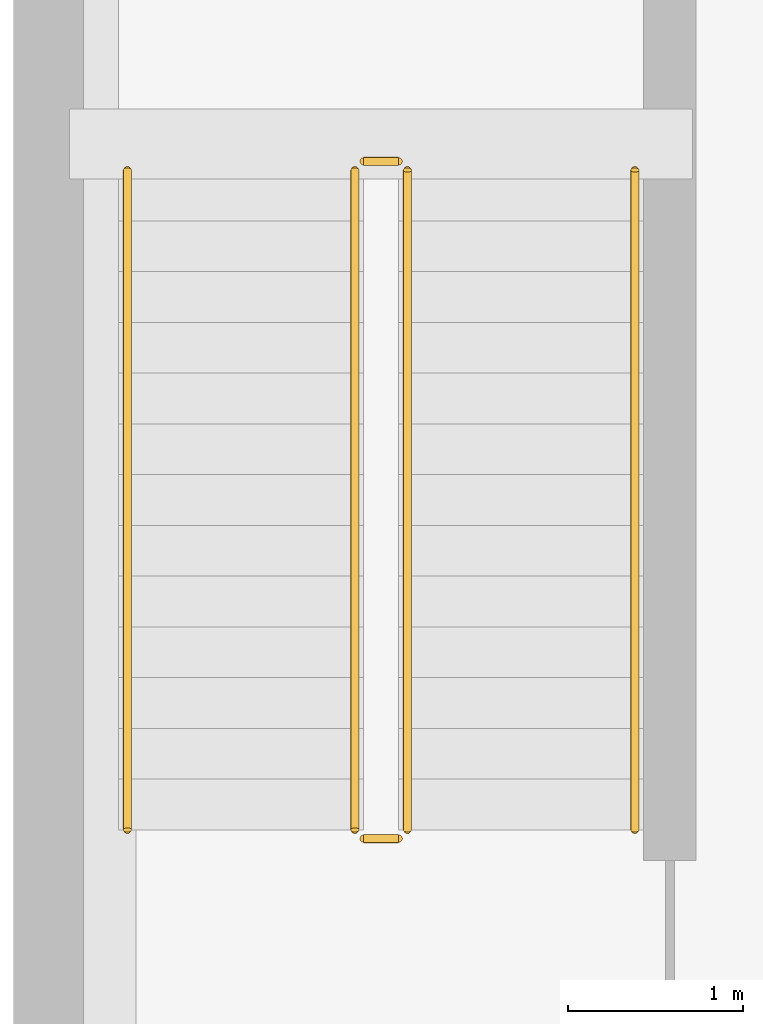
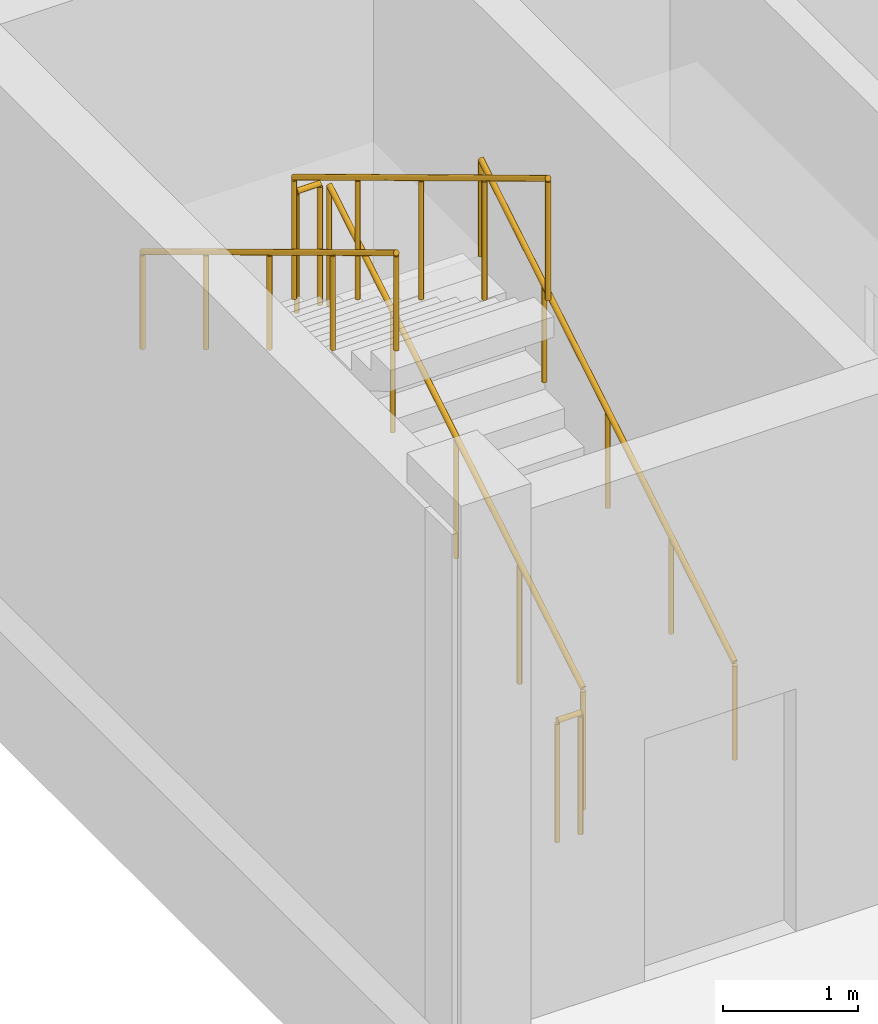
# One storey, part 63 of 85: 6 railings.
"""IFC4 building model written with IfcOpenShell, lengths in metres."""

import ifcopenshell
import ifcopenshell.guid

model = None  # the IFC model being written
_history = None  # IfcOwnerHistory: only IFC2X3 demands one
_inside = {}  # id of a spatial element -> (the spatial element, [elements in it])
_under = {}  # id of a project, library or spatial element -> (it, [spatial elements below it])
_declared = {}  # id of a project -> (the project, [libraries it declares])
_typed = {}  # id of a type object -> (the type object, [elements of that type])
_made_of = {}  # id of a material, layer set ... -> (it, [elements and type objects made of it])


def new_model(schema):
    """Start an empty IFC model of exactly this schema.

    Asked for "IFC4X3", IfcOpenShell would pick the latest addendum, in which some entities
    have other attributes; the version numbers below select the first issue.
    IFC2X3 requires an IfcOwnerHistory on every rooted entity: one is made here for all.
    """
    global model, _history
    if schema == "IFC4X3":
        model = ifcopenshell.file(schema_version=(4, 3, 0, 0))
    else:
        model = ifcopenshell.file(schema=schema)
    _inside.clear()
    _under.clear()
    _declared.clear()
    _typed.clear()
    _made_of.clear()
    _history = None
    if model.schema == "IFC2X3":
        org = make("IfcOrganization", Name="unknown")
        user = make(
            "IfcPersonAndOrganization",
            ThePerson=make("IfcPerson", FamilyName="unknown"),
            TheOrganization=org,
        )
        app = make(
            "IfcApplication",
            ApplicationDeveloper=org,
            Version="unknown",
            ApplicationFullName="unknown",
            ApplicationIdentifier="unknown",
        )
        _history = make(
            "IfcOwnerHistory",
            OwningUser=user,
            OwningApplication=app,
            ChangeAction="ADDED",
            CreationDate=0,
        )
    return model


def make(cls, **values):
    """One entity of the class cls with the attributes given. An attribute that is None is left unset."""
    return model.create_entity(
        cls, **{name: value for name, value in values.items() if value is not None}
    )


def rooted(cls, **values):
    """An entity with a GlobalId (a new one), such as an element, a storey or a relation."""
    return make(cls, GlobalId=ifcopenshell.guid.new(), OwnerHistory=_history, **values)


def si_unit(unit_type, name, prefix=None):
    """IfcSIUnit, for example si_unit("LENGTHUNIT", "METRE", prefix="MILLI")."""
    return make("IfcSIUnit", UnitType=unit_type, Prefix=prefix, Name=name)


def derived_unit(unit_type, elements):
    """IfcDerivedUnit: a product of units, each with its exponent."""
    return make(
        "IfcDerivedUnit",
        Elements=[
            make("IfcDerivedUnitElement", Unit=unit, Exponent=power)
            for unit, power in elements
        ],
        UnitType=unit_type,
    )


def assignment(units):
    """IfcUnitAssignment: the units of a project."""
    return None if units is None else make("IfcUnitAssignment", Units=units)


def point(xyz):
    """IfcCartesianPoint."""
    return None if xyz is None else make("IfcCartesianPoint", Coordinates=xyz)


def direction(xyz):
    """IfcDirection."""
    return None if xyz is None else make("IfcDirection", DirectionRatios=xyz)


def frame(location, z_axis=None, x_axis=None):
    """IfcAxis2Placement3D, a coordinate frame: its origin and axes. An axis left out is left unset."""
    return make(
        "IfcAxis2Placement3D",
        Location=point(location),
        Axis=direction(z_axis),
        RefDirection=direction(x_axis),
    )


def frame_2d(location, x_axis=None):
    """IfcAxis2Placement2D, a coordinate frame in the plane: its origin and x axis."""
    return make(
        "IfcAxis2Placement2D", Location=point(location), RefDirection=direction(x_axis)
    )


def origin():
    """The frame at (0, 0, 0) with its axes left unset."""
    return frame((0.0, 0.0, 0.0))


def origin_2d():
    """The frame at (0, 0) in the plane with its x axis left unset."""
    return frame_2d((0.0, 0.0))


def place(relative_to, where):
    """IfcLocalPlacement: puts the frame where relative to a parent placement (None: the world)."""
    return make(
        "IfcLocalPlacement", PlacementRelTo=relative_to, RelativePlacement=where
    )


def context(
    kind, dimensions, precision=None, world=None, true_north=None, identifier=None
):
    """IfcGeometricRepresentationContext, for example the 3D "Model" context."""
    return make(
        "IfcGeometricRepresentationContext",
        ContextIdentifier=identifier,
        ContextType=kind,
        CoordinateSpaceDimension=dimensions,
        Precision=precision,
        WorldCoordinateSystem=world,
        TrueNorth=true_north,
    )


def subcontext(parent, identifier, kind, view, scale=None):
    """IfcGeometricRepresentationSubContext, for example "Body" below "Model"."""
    return make(
        "IfcGeometricRepresentationSubContext",
        ContextIdentifier=identifier,
        ContextType=kind,
        ParentContext=parent,
        TargetScale=scale,
        TargetView=view,
    )


def project(units=None, contexts=None):
    """IfcProject with its units and contexts."""
    return rooted(
        "IfcProject",
        Name="project",
        RepresentationContexts=contexts,
        UnitsInContext=assignment(units),
    )


def spatial(cls, under=None, at=None, **own):
    """A site, building, storey or space (cls), placed at a placement, below another one or the project."""
    s = rooted(cls, ObjectPlacement=at, **own)
    if under is not None:
        _under.setdefault(under.id(), (under, []))[1].append(s)
    return s


def profile(cls, at=None, kind="AREA", **sizes):
    """A parametric profile (cls). Its sizes go by their IFC names, for example OverallWidth=200.0."""
    return make(cls, ProfileType=kind, Position=at, **sizes)


def circle(**sizes):
    """IfcCircleProfileDef."""
    return profile("IfcCircleProfileDef", **sizes)


def extrude(swept, where, along, depth):
    """IfcExtrudedAreaSolid: the profile swept, set in the frame where, extruded along a direction by depth."""
    return make(
        "IfcExtrudedAreaSolid",
        SweptArea=swept,
        Position=where,
        ExtrudedDirection=direction(along),
        Depth=depth,
    )


def shape(context_of_items, identifier, shape_type, items):
    """IfcShapeRepresentation: the items that make up one representation, for example the "Body"."""
    return make(
        "IfcShapeRepresentation",
        ContextOfItems=context_of_items,
        RepresentationIdentifier=identifier,
        RepresentationType=shape_type,
        Items=items,
    )


def material(Name=None, Category=None):
    """IfcMaterial."""
    return make("IfcMaterial", Name=Name, Category=Category)


def made_of(thing, what):
    """Note that an element or type object is made of a material, layer set ...; save() writes the relation."""
    if what is not None:
        _made_of.setdefault(what.id(), (what, []))[1].append(thing)
    return thing


def type_object(cls, material=None, **own):
    """A type object (cls), such as IfcWallType, which elements share."""
    return made_of(rooted(cls, **own), material)


def element(
    cls,
    number,
    at=None,
    inside=None,
    cuts=None,
    type_object=None,
    material=None,
    context=None,
    identifier="Body",
    shape_type=None,
    held_by="IfcProductDefinitionShape",
    body=None,
    shapes=None,
    **own,
):
    """One element of the class cls, such as IfcWall. Its Tag is "e" and its number.

    at: its placement. inside: the storey or other place that contains it. cuts: it is an
    opening in that element (IfcRelVoidsElement). A single representation is given by context,
    identifier, shape_type and body (its items); several are given by shapes. held_by: the class
    of the entity that holds the representations. save() writes the other relations.
    """
    e = rooted(cls, Tag="e%d" % number, ObjectPlacement=at, **own)
    if body is not None:
        shapes = [shape(context, identifier, shape_type, body)]
    if shapes is not None:
        e.Representation = make(held_by, Representations=shapes)
    if inside is not None:
        _inside.setdefault(inside.id(), (inside, []))[1].append(e)
    if cuts is not None:
        rooted(
            "IfcRelVoidsElement", RelatingBuildingElement=cuts, RelatedOpeningElement=e
        )
    if type_object is not None:
        _typed.setdefault(type_object.id(), (type_object, []))[1].append(e)
    return made_of(e, material)


def aggregate(whole, parts):
    """IfcRelAggregates: a whole, such as a stair, and the parts it consists of."""
    return rooted("IfcRelAggregates", RelatingObject=whole, RelatedObjects=parts)


def save(model, path):
    """Write the relations noted so far, then the file.

    IfcRelAggregates (storeys below a building ...), IfcRelContainedInSpatialStructure (elements
    in a storey), IfcRelDefinesByType, IfcRelAssociatesMaterial and IfcRelDeclares: one each for
    every whole, place, type object, material and project.
    """
    for whole, parts in _under.values():
        aggregate(whole, parts)
    for where, things in _inside.values():
        rooted(
            "IfcRelContainedInSpatialStructure",
            RelatedElements=things,
            RelatingStructure=where,
        )
    for kind, things in _typed.values():
        rooted("IfcRelDefinesByType", RelatedObjects=things, RelatingType=kind)
    for what, things in _made_of.values():
        rooted("IfcRelAssociatesMaterial", RelatedObjects=things, RelatingMaterial=what)
    for by, libraries in _declared.values():
        rooted("IfcRelDeclares", RelatingContext=by, RelatedDefinitions=libraries)
    model.write(path)


model = new_model("IFC4")

# Units and contexts
model_context = context("Model", 3, precision=1e-05, world=origin(), true_north=direction((0.0, 1.0)))
body_context = subcontext(model_context, "Body", "Model", "MODEL_VIEW")
ifc_project = project(units=[si_unit("LENGTHUNIT", "METRE"), si_unit("AREAUNIT", "SQUARE_METRE"), si_unit("VOLUMEUNIT", "CUBIC_METRE"), si_unit("PLANEANGLEUNIT", "RADIAN"), si_unit("MASSUNIT", "GRAM", prefix="KILO"), derived_unit("THERMALTRANSMITTANCEUNIT", [(si_unit("MASSUNIT", "GRAM", prefix="KILO"), 1), (si_unit("TIMEUNIT", "SECOND"), -3), (si_unit("THERMODYNAMICTEMPERATUREUNIT", "KELVIN"), -1)])], contexts=[model_context])

# Site, building, storey
site_placement = place(None, origin())
site = spatial("IfcSite", under=ifc_project, at=site_placement, CompositionType="ELEMENT")
building_placement = place(site_placement, origin())
building = spatial("IfcBuilding", under=site, at=building_placement, Name="Ochrekiln Boulevard Commons", CompositionType="ELEMENT")
storey_placement = place(building_placement, origin())
storey = spatial("IfcBuildingStorey", under=building, at=storey_placement, Name="L00", CompositionType="ELEMENT", Elevation=0.0)

# Railings
ifc_material = material(Name="Brushed stainless steel 316 tubular railing", Category="steel")
railing_type_1 = type_object("IfcRailingType", Name="RLG-HDR-900", PredefinedType="HANDRAIL", material=ifc_material)
railing_1_placement = place(storey_placement, frame((61.14990234375, 37.949951171875, 0.175048828125)))
element("IfcRailing", 1, at=railing_1_placement, inside=storey, type_object=railing_type_1, Name="L00 ST-H1 stair handrail 1", PredefinedType="HANDRAIL", context=body_context, shape_type="SweptSolid", body=[
    extrude(circle(Radius=0.02392578125, at=origin_2d()), frame((0.0, 0.0, 0.8759765625), z_axis=(0.0, 0.856198655849, 0.51664674752), x_axis=(-1.0, 0.0, 0.0)), (0.0, 0.0, 1.0), 4.4033203125),
    extrude(circle(Radius=0.02099609375, at=origin_2d()), origin(), (0.0, 0.0, 1.0), 0.851806640625),
    extrude(circle(Radius=0.02099609375, at=origin_2d()), frame((0.0, 0.9423828125, 0.56884765625)), (0.0, 0.0, 1.0), 0.851806640625),
    extrude(circle(Radius=0.02099609375, at=origin_2d()), frame((0.0, 1.885009765625, 1.137451171875)), (0.0, 0.0, 1.0), 0.851806640625),
    extrude(circle(Radius=0.02099609375, at=origin_2d()), frame((0.0, 2.82763671875, 1.7060546875)), (0.0, 0.0, 1.0), 0.851806640625),
    extrude(circle(Radius=0.02099609375, at=origin_2d()), frame((0.0, 3.77001953125, 2.27490234375)), (0.0, 0.0, 1.0), 0.851806640625),
])
railing_2_placement = place(storey_placement, frame((58.25, 41.719970703125, 2.625)))
element("IfcRailing", 2, at=railing_2_placement, inside=storey, type_object=railing_type_1, Name="L00 ST-H1 stair handrail 2", PredefinedType="HANDRAIL", context=body_context, shape_type="SweptSolid", body=[
    extrude(circle(Radius=0.02392578125, at=origin_2d()), frame((0.0, 0.0, 0.8759765625), z_axis=(0.0, -0.856198655849, 0.51664674752), x_axis=(1.0, 0.0, 0.0)), (0.0, 0.0, 1.0), 4.4033203125),
    extrude(circle(Radius=0.02099609375, at=origin_2d()), origin(), (0.0, 0.0, 1.0), 0.851806640625),
    extrude(circle(Radius=0.02099609375, at=origin_2d()), frame((0.0, -0.9423828125, 0.56884765625)), (0.0, 0.0, 1.0), 0.851806640625),
    extrude(circle(Radius=0.02099609375, at=origin_2d()), frame((0.0, -1.885009765625, 1.137451171875)), (0.0, 0.0, 1.0), 0.851806640625),
    extrude(circle(Radius=0.02099609375, at=origin_2d()), frame((0.0, -2.82763671875, 1.7060546875)), (0.0, 0.0, 1.0), 0.851806640625),
    extrude(circle(Radius=0.02099609375, at=origin_2d()), frame((0.0, -3.77001953125, 2.27490234375)), (0.0, 0.0, 1.0), 0.851806640625),
])
railing_type_2 = type_object("IfcRailingType", Name="RLG-STR-1120", PredefinedType="BALUSTRADE", material=ifc_material)
railing_3_placement = place(storey_placement, frame((59.85009765625, 37.949951171875, 0.175048828125)))
element("IfcRailing", 3, at=railing_3_placement, inside=storey, type_object=railing_type_2, Name="L00 ST-H1 stair guard 1", PredefinedType="BALUSTRADE", context=body_context, shape_type="SweptSolid", body=[
    extrude(circle(Radius=0.02392578125, at=origin_2d()), frame((0.0, 0.0, 1.09619140625), z_axis=(0.0, 0.856198655849, 0.51664674752), x_axis=(-1.0, 0.0, 0.0)), (0.0, 0.0, 1.0), 4.4033203125),
    extrude(circle(Radius=0.02099609375, at=origin_2d()), origin(), (0.0, 0.0, 1.0), 1.072021484375),
    extrude(circle(Radius=0.02099609375, at=origin_2d()), frame((0.0, 0.9423828125, 0.56884765625)), (0.0, 0.0, 1.0), 1.072021484375),
    extrude(circle(Radius=0.02099609375, at=origin_2d()), frame((0.0, 1.885009765625, 1.137451171875)), (0.0, 0.0, 1.0), 1.072021484375),
    extrude(circle(Radius=0.02099609375, at=origin_2d()), frame((0.0, 2.82763671875, 1.7060546875)), (0.0, 0.0, 1.0), 1.072021484375),
    extrude(circle(Radius=0.02099609375, at=origin_2d()), frame((0.0, 3.77001953125, 2.27490234375)), (0.0, 0.0, 1.0), 1.072021484375),
])
railing_4_placement = place(storey_placement, frame((59.800048828125, 41.77001953125, 2.449951171875)))
element("IfcRailing", 4, at=railing_4_placement, inside=storey, type_object=railing_type_2, Name="L00 ST-H1 stair guard 2", PredefinedType="BALUSTRADE", context=body_context, shape_type="SweptSolid", body=[
    extrude(circle(Radius=0.02392578125, at=origin_2d()), frame((0.0, 0.0, 1.09619140625), z_axis=(-1.0, 0.0, 0.0), x_axis=(0.0, -1.0, 0.0)), (0.0, 0.0, 1.0), 0.199951171875),
    extrude(circle(Radius=0.02099609375, at=origin_2d()), origin(), (0.0, 0.0, 1.0), 1.072021484375),
    extrude(circle(Radius=0.02099609375, at=origin_2d()), frame((-0.199951171875, 0.0, 0.0)), (0.0, 0.0, 1.0), 1.072021484375),
])
railing_5_placement = place(storey_placement, frame((59.550048828125, 41.719970703125, 2.625)))
element("IfcRailing", 5, at=railing_5_placement, inside=storey, type_object=railing_type_2, Name="L00 ST-H1 stair guard 3", PredefinedType="BALUSTRADE", context=body_context, shape_type="SweptSolid", body=[
    extrude(circle(Radius=0.02392578125, at=origin_2d()), frame((0.0, 0.0, 1.09619140625), z_axis=(0.0, -0.856198655849, 0.51664674752), x_axis=(1.0, 0.0, 0.0)), (0.0, 0.0, 1.0), 4.4033203125),
    extrude(circle(Radius=0.02099609375, at=origin_2d()), origin(), (0.0, 0.0, 1.0), 1.072021484375),
    extrude(circle(Radius=0.02099609375, at=origin_2d()), frame((0.0, -0.9423828125, 0.56884765625)), (0.0, 0.0, 1.0), 1.072021484375),
    extrude(circle(Radius=0.02099609375, at=origin_2d()), frame((0.0, -1.885009765625, 1.137451171875)), (0.0, 0.0, 1.0), 1.072021484375),
    extrude(circle(Radius=0.02099609375, at=origin_2d()), frame((0.0, -2.82763671875, 1.7060546875)), (0.0, 0.0, 1.0), 1.072021484375),
    extrude(circle(Radius=0.02099609375, at=origin_2d()), frame((0.0, -3.77001953125, 2.27490234375)), (0.0, 0.0, 1.0), 1.072021484375),
])
railing_6_placement = place(storey_placement, frame((59.800048828125, 37.89990234375, 0.0)))
element("IfcRailing", 6, at=railing_6_placement, inside=storey, type_object=railing_type_2, Name="L00 ST-H1 stair guard 4", PredefinedType="BALUSTRADE", context=body_context, shape_type="SweptSolid", body=[
    extrude(circle(Radius=0.02392578125, at=origin_2d()), frame((0.0, 0.0, 1.09619140625), z_axis=(-1.0, 0.0, 0.0), x_axis=(0.0, -1.0, 0.0)), (0.0, 0.0, 1.0), 0.199951171875),
    extrude(circle(Radius=0.02099609375, at=origin_2d()), origin(), (0.0, 0.0, 1.0), 1.072021484375),
    extrude(circle(Radius=0.02099609375, at=origin_2d()), frame((-0.199951171875, 0.0, 0.0)), (0.0, 0.0, 1.0), 1.072021484375),
])

save(model, "model.ifc")
